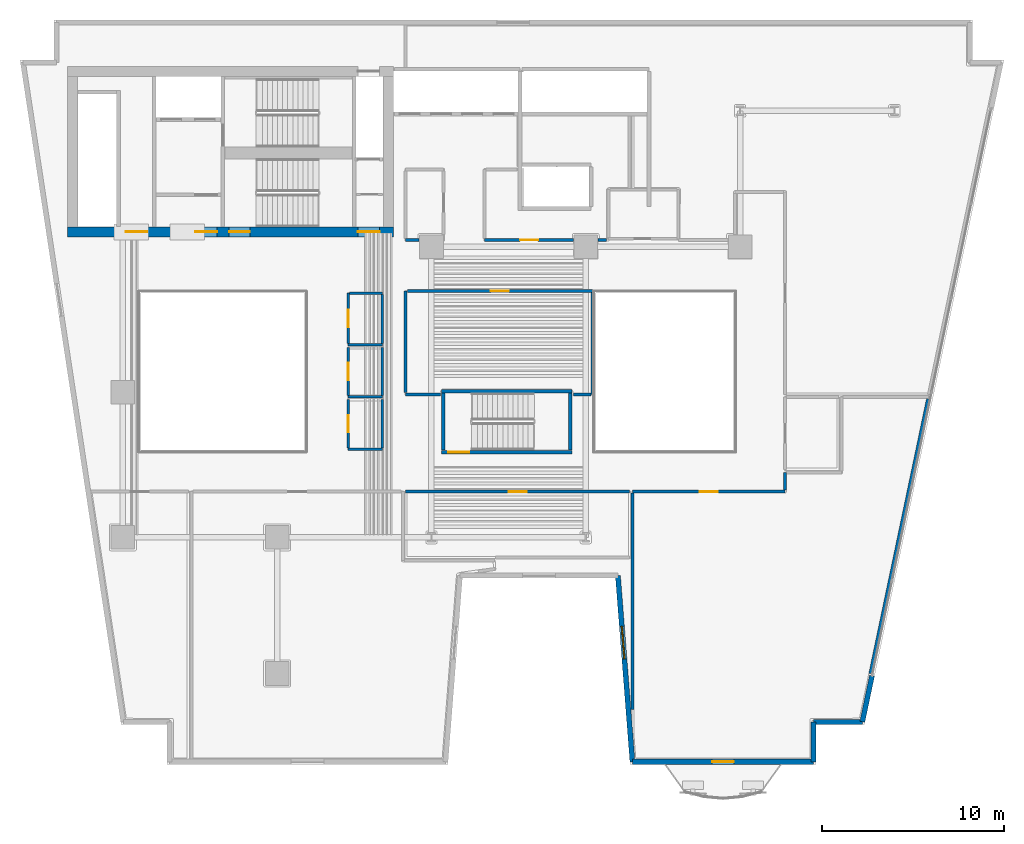
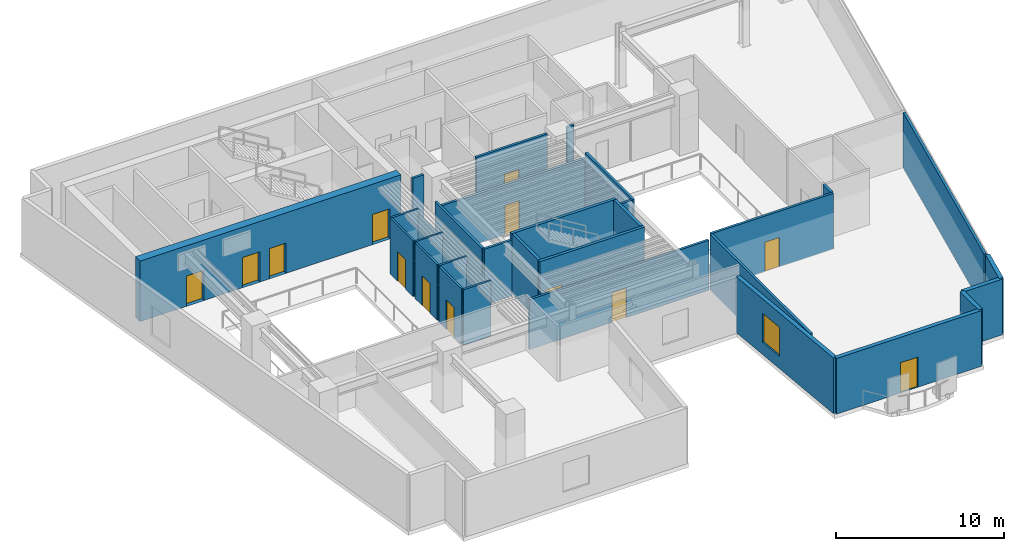
# One storey, part 4 of 11: 33 walls, 13 doors, 1 window, 14 openings.
"""IFC4 building model written with IfcOpenShell, lengths in metres."""

from ifc_helpers import new_model, si_unit, direction, frame, frame_2d, origin, place, context, subcontext, project, spatial, rectangle, extrude, material, layer, layer_set, type_object, element, fill, save


model = new_model("IFC4")

# Units and contexts
model_context = context("Model", 3, precision=1e-05, world=origin(), true_north=direction((0.0, 1.0)))
body_context = subcontext(model_context, "Body", "Model", "MODEL_VIEW")
ifc_project = project(units=[si_unit("LENGTHUNIT", "METRE"), si_unit("AREAUNIT", "SQUARE_METRE"), si_unit("VOLUMEUNIT", "CUBIC_METRE"), si_unit("PLANEANGLEUNIT", "RADIAN"), si_unit("MASSUNIT", "GRAM", prefix="KILO")], contexts=[model_context])

# Site, building, storey
site_placement = place(None, origin())
site = spatial("IfcSite", under=ifc_project, at=site_placement, CompositionType="ELEMENT")
building_placement = place(site_placement, origin())
building = spatial("IfcBuilding", under=site, at=building_placement, Name="Caeloran Harvest Quay", CompositionType="ELEMENT")
storey_placement = place(building_placement, frame((0.0, 0.0, 101.800048828125)))
storey = spatial("IfcBuildingStorey", under=building, at=storey_placement, Name="L23", CompositionType="ELEMENT", Elevation=101.800048828125)

# Walls
ifc_material_1 = material(Name="Precast concrete C50/60", Category="concrete")
ifc_layer_1 = layer(ifc_material_1, 0.280029296875, Name="Precast concrete C50/60")
ifc_layer_set_1 = layer_set([ifc_layer_1], Name="Precast concrete C50/60")
wall_type_1 = type_object("IfcWallType", Name="ENV-WALL-EW-280", PredefinedType="STANDARD", material=ifc_layer_set_1)
wall_1_placement = place(storey_placement, frame((49.77001953125, 7.384521484375, 0.0), z_axis=(0.0, 0.0, 1.0), x_axis=(-0.205551409765, -0.978646319128, 0.0)))
element("IfcWall", 1, at=wall_1_placement, inside=storey, type_object=wall_type_1, Name="L23 Exterior Facade Corner Pier Wall 9B", PredefinedType="STANDARD", context=body_context, shape_type="SweptSolid", body=[
    extrude(rectangle(XDim=2.599853515625, YDim=0.280029296875, at=frame_2d((1.2998046875, 0.0))), origin(), (0.0, 0.0, 1.0), 4.050048828125),
])
wall_2_placement = place(storey_placement, frame((49.235595703125, 4.840087890625, 0.0), z_axis=(0.0, 0.0, 1.0), x_axis=(-1.0, 0.0, 0.0)))
element("IfcWall", 2, at=wall_2_placement, inside=storey, type_object=wall_type_1, Name="L23 Exterior Precast Concrete Facade Wall 10", PredefinedType="STANDARD", context=body_context, shape_type="SweptSolid", body=[
    extrude(rectangle(XDim=2.6884765625, YDim=0.280029296875, at=frame_2d((1.34423828125, 0.0))), origin(), (0.0, 0.0, 1.0), 4.050048828125),
])
wall_3_placement = place(storey_placement, frame((46.547119140625, 4.840087890625, 0.0), z_axis=(0.0, 0.0, 1.0), x_axis=(0.0, -1.0, 0.0)))
element("IfcWall", 3, at=wall_3_placement, inside=storey, type_object=wall_type_1, Name="L23 Exterior Precast Concrete Facade Wall 11", PredefinedType="STANDARD", context=body_context, shape_type="SweptSolid", body=[
    extrude(rectangle(XDim=2.2001953125, YDim=0.280029296875, at=frame_2d((1.10009765625, 0.0))), origin(), (0.0, 0.0, 1.0), 4.050048828125),
])

# Wall, opening, door
wall_4_placement = place(storey_placement, frame((46.547119140625, 2.639892578125, 0.0), z_axis=(0.0, 0.0, 1.0), x_axis=(-1.0, 0.0, 0.0)))
wall_4 = element("IfcWall", 4, at=wall_4_placement, inside=storey, type_object=wall_type_1, Name="L23 Exterior Precast Concrete Facade Wall 12", PredefinedType="STANDARD", context=body_context, shape_type="SweptSolid", body=[
    extrude(rectangle(XDim=9.97705078125, YDim=0.280029296875, at=frame_2d((4.988525390625, 0.0))), origin(), (0.0, 0.0, 1.0), 4.050048828125),
])
opening_1_placement = place(wall_4_placement, frame((4.387939453125, 0.0, 0.0)))
opening_1 = element("IfcOpeningElement", 5, at=opening_1_placement, cuts=wall_4, Name="Opening BD-01", PredefinedType="OPENING", context=body_context, shape_type="SweptSolid", body=[
    extrude(rectangle(XDim=1.199951171875, YDim=2.199951171875, at=frame_2d((0.60009765625, 1.10009765625))), frame((0.0, 0.14990234375, 0.0), z_axis=(0.0, -1.0, 0.0), x_axis=(1.0, 0.0, 0.0)), (0.0, 0.0, 1.0), 0.300048828125),
])
ifc_material_2 = material(Name="Thermally Broken Powder-Coated Aluminium and Safety Glass", Category="aluminium")
door_type_1 = type_object("IfcDoorType", Name="EXTDOOR-BD-01", OperationType="NOTDEFINED", PredefinedType="DOOR", material=ifc_material_2)
door_1_placement = place(opening_1_placement, origin())
door_1 = element("IfcDoor", 6, at=door_1_placement, inside=storey, type_object=door_type_1, Name="L23 Planted Balcony Glazed Access Door", OperationType="SINGLE_SWING_RIGHT", OverallHeight=2.199951171875, OverallWidth=1.199951171875, PredefinedType="DOOR", context=body_context, shape_type="SweptSolid", body=[
    extrude(rectangle(XDim=1.199951171875, YDim=2.199951171875, at=frame_2d((0.60009765625, 1.10009765625))), frame((0.0, 0.02490234375, 0.0), z_axis=(0.0, -1.0, 0.0), x_axis=(1.0, 0.0, 0.0)), (0.0, 0.0, 1.0), 0.050048828125),
])
fill(opening_1, door_1)

# Wall, opening, window
wall_5_placement = place(storey_placement, frame((36.570068359375, 2.639892578125, 0.0), z_axis=(0.0, 0.0, 1.0), x_axis=(-0.077816860153, 0.996967670627, 0.0)))
wall_5 = element("IfcWall", 7, at=wall_5_placement, inside=storey, type_object=wall_type_1, Name="L23 Exterior Precast Concrete Facade Wall 13", PredefinedType="STANDARD", context=body_context, shape_type="SweptSolid", body=[
    extrude(rectangle(XDim=10.28125, YDim=0.280029296875, at=frame_2d((5.140625, 0.0))), origin(), (0.0, 0.0, 1.0), 4.050048828125),
])
opening_2_placement = place(wall_5_placement, frame((5.679931640625, 0.0, 0.89990234375)))
opening_2 = element("IfcOpeningElement", 8, at=opening_2_placement, cuts=wall_5, Name="Opening W-01", PredefinedType="OPENING", context=body_context, shape_type="SweptSolid", body=[
    extrude(rectangle(XDim=1.800048828125, YDim=2.10009765625, at=frame_2d((0.89990234375, 1.050048828125))), frame((0.0, 0.14990234375, 0.0), z_axis=(0.0, -1.0, 0.0), x_axis=(1.0, 0.0, 0.0)), (0.0, 0.0, 1.0), 0.300048828125),
])
ifc_material_3 = material(Name="Aluminium-Framed Low-E Laminated Glass", Category="aluminium")
window_type = type_object("IfcWindowType", Name="WIN-W-01", PartitioningType="SINGLE_PANEL", PredefinedType="WINDOW", material=ifc_material_3)
window_placement = place(opening_2_placement, origin())
window = element("IfcWindow", 9, at=window_placement, inside=storey, type_object=window_type, Name="L23 Facade Punched Window W-01", OverallHeight=2.10009765625, OverallWidth=1.800048828125, PartitioningType="SINGLE_PANEL", PredefinedType="WINDOW", context=body_context, shape_type="SweptSolid", body=[
    extrude(rectangle(XDim=1.800048828125, YDim=2.10009765625, at=frame_2d((0.89990234375, 1.050048828125))), frame((0.0, 0.030029296875, 0.0), z_axis=(0.0, -1.0, 0.0), x_axis=(1.0, 0.0, 0.0)), (0.0, 0.0, 1.0), 0.06005859375),
])
fill(opening_2, window)

# Wall
ifc_material_4 = material(Name="Moisture-Resistant Cement-Board Sanitary Partition", Category="gypsum")
ifc_layer_2 = layer(ifc_material_4, 0.139892578125, Name="Moisture-Resistant Cement-Board Sanitary Partition")
ifc_layer_set_2 = layer_set([ifc_layer_2], Name="Moisture-Resistant Cement-Board Sanitary Partition")
wall_type_2 = type_object("IfcWallType", Name="INT-WALL-PW-140", PredefinedType="PARTITIONING", material=ifc_layer_set_2)
wall_6_placement = place(storey_placement, frame((22.800048828125, 25.60009765625, 0.0), z_axis=(0.0, 0.0, 1.0), x_axis=(-1.0, 0.0, 0.0)))
element("IfcWall", 10, at=wall_6_placement, inside=storey, type_object=wall_type_2, Name="L23 Male Washroom WC Partition Wall", PredefinedType="PARTITIONING", context=body_context, shape_type="SweptSolid", body=[
    extrude(rectangle(XDim=1.89013671875, YDim=0.139892578125, at=frame_2d((0.945068359375, 0.0))), origin(), (0.0, 0.0, 1.0), 4.050048828125),
])

# Wall, opening, door
wall_7_placement = place(storey_placement, frame((20.909912109375, 25.675048828125, 0.0), z_axis=(0.0, 0.0, 1.0), x_axis=(0.0, 1.0, 0.0)))
wall_7 = element("IfcWall", 11, at=wall_7_placement, inside=storey, type_object=wall_type_2, Name="L23 Male Washroom WC Partition Wall", PredefinedType="PARTITIONING", context=body_context, shape_type="SweptSolid", body=[
    extrude(rectangle(XDim=2.77490234375, YDim=0.139892578125, at=frame_2d((1.387451171875, 0.0))), origin(), (0.0, 0.0, 1.0), 4.050048828125),
])
opening_3_placement = place(wall_7_placement, frame((0.91259765625, 0.0, 0.0)))
opening_3 = element("IfcOpeningElement", 12, at=opening_3_placement, cuts=wall_7, Name="Opening WC-01", PredefinedType="OPENING", context=body_context, shape_type="SweptSolid", body=[
    extrude(rectangle(XDim=0.949951171875, YDim=2.14990234375, at=frame_2d((0.47509765625, 1.074951171875))), frame((0.0, 0.080078125, 0.0), z_axis=(0.0, -1.0, 0.0), x_axis=(1.0, 0.0, 0.0)), (0.0, 0.0, 1.0), 0.159912109375),
])
ifc_material_5 = material(Name="High-Pressure Laminate Moisture-Resistant Timber", Category="wood")
door_type_2 = type_object("IfcDoorType", Name="INTDOOR-WC-01", OperationType="NOTDEFINED", PredefinedType="DOOR", material=ifc_material_5)
door_2_placement = place(opening_3_placement, origin())
door_2 = element("IfcDoor", 13, at=door_2_placement, inside=storey, type_object=door_type_2, Name="L23 Male Washroom WC Access Door", OperationType="SINGLE_SWING_LEFT", OverallHeight=2.14990234375, OverallWidth=0.949951171875, PredefinedType="DOOR", context=body_context, shape_type="SweptSolid", body=[
    extrude(rectangle(XDim=0.949951171875, YDim=2.14990234375, at=frame_2d((0.47509765625, 1.074951171875))), frame((0.0, 0.02490234375, 0.0), z_axis=(0.0, -1.0, 0.0), x_axis=(1.0, 0.0, 0.0)), (0.0, 0.0, 1.0), 0.050048828125),
])
fill(opening_3, door_2)

# Walls
wall_8_placement = place(storey_placement, frame((20.985107421875, 28.449951171875, 0.0), z_axis=(0.0, 0.0, 1.0), x_axis=(1.0, 0.0, 0.0)))
element("IfcWall", 14, at=wall_8_placement, inside=storey, type_object=wall_type_2, Name="L23 Male Washroom WC Partition Wall", PredefinedType="PARTITIONING", context=body_context, shape_type="SweptSolid", body=[
    extrude(rectangle(XDim=1.81494140625, YDim=0.139892578125, at=frame_2d((0.907470703125, 0.0))), origin(), (0.0, 0.0, 1.0), 4.050048828125),
])
wall_9_placement = place(storey_placement, frame((22.800048828125, 28.375, 0.0), z_axis=(0.0, 0.0, 1.0), x_axis=(0.0, -1.0, 0.0)))
element("IfcWall", 15, at=wall_9_placement, inside=storey, type_object=wall_type_2, Name="L23 Male Washroom WC Partition Wall", PredefinedType="PARTITIONING", context=body_context, shape_type="SweptSolid", body=[
    extrude(rectangle(XDim=2.699951171875, YDim=0.139892578125, at=frame_2d((1.35009765625, 0.0))), origin(), (0.0, 0.0, 1.0), 3.635009765625),
])
wall_10_placement = place(storey_placement, frame((22.800048828125, 22.75, 0.0), z_axis=(0.0, 0.0, 1.0), x_axis=(-1.0, 0.0, 0.0)))
element("IfcWall", 16, at=wall_10_placement, inside=storey, type_object=wall_type_2, Name="L23 Female Washroom WC Partition Wall", PredefinedType="PARTITIONING", context=body_context, shape_type="SweptSolid", body=[
    extrude(rectangle(XDim=1.89013671875, YDim=0.139892578125, at=frame_2d((0.945068359375, 0.0))), origin(), (0.0, 0.0, 1.0), 4.050048828125),
])

# Wall, opening, door
wall_11_placement = place(storey_placement, frame((20.909912109375, 22.824951171875, 0.0), z_axis=(0.0, 0.0, 1.0), x_axis=(0.0, 1.0, 0.0)))
wall_11 = element("IfcWall", 17, at=wall_11_placement, inside=storey, type_object=wall_type_2, Name="L23 Female Washroom WC Partition Wall", PredefinedType="PARTITIONING", context=body_context, shape_type="SweptSolid", body=[
    extrude(rectangle(XDim=2.625, YDim=0.139892578125, at=frame_2d((1.3125, 0.0))), origin(), (0.0, 0.0, 1.0), 4.050048828125),
])
opening_4_placement = place(wall_11_placement, frame((0.83740234375, 0.0, 0.0)))
opening_4 = element("IfcOpeningElement", 18, at=opening_4_placement, cuts=wall_11, Name="Opening WC-01", PredefinedType="OPENING", context=body_context, shape_type="SweptSolid", body=[
    extrude(rectangle(XDim=0.949951171875, YDim=2.14990234375, at=frame_2d((0.47509765625, 1.074951171875))), frame((0.0, 0.080078125, 0.0), z_axis=(0.0, -1.0, 0.0), x_axis=(1.0, 0.0, 0.0)), (0.0, 0.0, 1.0), 0.159912109375),
])
door_3_placement = place(opening_4_placement, origin())
door_3 = element("IfcDoor", 19, at=door_3_placement, inside=storey, type_object=door_type_2, Name="L23 Female Washroom WC Access Door", OperationType="SINGLE_SWING_RIGHT", OverallHeight=2.14990234375, OverallWidth=0.949951171875, PredefinedType="DOOR", context=body_context, shape_type="SweptSolid", body=[
    extrude(rectangle(XDim=0.949951171875, YDim=2.14990234375, at=frame_2d((0.47509765625, 1.074951171875))), frame((0.0, 0.02490234375, 0.0), z_axis=(0.0, -1.0, 0.0), x_axis=(1.0, 0.0, 0.0)), (0.0, 0.0, 1.0), 0.050048828125),
])
fill(opening_4, door_3)

# Walls
wall_12_placement = place(storey_placement, frame((22.800048828125, 25.449951171875, 0.0), z_axis=(0.0, 0.0, 1.0), x_axis=(0.0, -1.0, 0.0)))
element("IfcWall", 20, at=wall_12_placement, inside=storey, type_object=wall_type_2, Name="L23 Female Washroom WC Partition Wall", PredefinedType="PARTITIONING", context=body_context, shape_type="SweptSolid", body=[
    extrude(rectangle(XDim=2.625, YDim=0.139892578125, at=frame_2d((1.3125, 0.0))), origin(), (0.0, 0.0, 1.0), 3.635009765625),
])
wall_13_placement = place(storey_placement, frame((22.800048828125, 19.85009765625, 0.0), z_axis=(0.0, 0.0, 1.0), x_axis=(-1.0, 0.0, 0.0)))
element("IfcWall", 21, at=wall_13_placement, inside=storey, type_object=wall_type_2, Name="L23 Accessible Unisex Washroom WC Partition Wall", PredefinedType="PARTITIONING", context=body_context, shape_type="SweptSolid", body=[
    extrude(rectangle(XDim=1.89013671875, YDim=0.139892578125, at=frame_2d((0.945068359375, 0.0))), origin(), (0.0, 0.0, 1.0), 4.050048828125),
])

# Wall, opening, door
wall_14_placement = place(storey_placement, frame((20.909912109375, 19.925048828125, 0.0), z_axis=(0.0, 0.0, 1.0), x_axis=(0.0, 1.0, 0.0)))
wall_14 = element("IfcWall", 22, at=wall_14_placement, inside=storey, type_object=wall_type_2, Name="L23 Accessible Unisex Washroom WC Partition Wall", PredefinedType="PARTITIONING", context=body_context, shape_type="SweptSolid", body=[
    extrude(rectangle(XDim=2.675048828125, YDim=0.139892578125, at=frame_2d((1.33740234375, 0.0))), origin(), (0.0, 0.0, 1.0), 4.050048828125),
])
opening_5_placement = place(wall_14_placement, frame((0.862548828125, 0.0, 0.0)))
opening_5 = element("IfcOpeningElement", 23, at=opening_5_placement, cuts=wall_14, Name="Opening WC-01", PredefinedType="OPENING", context=body_context, shape_type="SweptSolid", body=[
    extrude(rectangle(XDim=0.949951171875, YDim=2.14990234375, at=frame_2d((0.47509765625, 1.074951171875))), frame((0.0, 0.080078125, 0.0), z_axis=(0.0, -1.0, 0.0), x_axis=(1.0, 0.0, 0.0)), (0.0, 0.0, 1.0), 0.159912109375),
])
door_4_placement = place(opening_5_placement, origin())
door_4 = element("IfcDoor", 24, at=door_4_placement, inside=storey, type_object=door_type_2, Name="L23 Accessible Unisex Washroom WC Access Door", OperationType="SINGLE_SWING_LEFT", OverallHeight=2.14990234375, OverallWidth=0.949951171875, PredefinedType="DOOR", context=body_context, shape_type="SweptSolid", body=[
    extrude(rectangle(XDim=0.949951171875, YDim=2.14990234375, at=frame_2d((0.47509765625, 1.074951171875))), frame((0.0, 0.02490234375, 0.0), z_axis=(0.0, -1.0, 0.0), x_axis=(1.0, 0.0, 0.0)), (0.0, 0.0, 1.0), 0.050048828125),
])
fill(opening_5, door_4)

# Wall
wall_15_placement = place(storey_placement, frame((22.800048828125, 22.60009765625, 0.0), z_axis=(0.0, 0.0, 1.0), x_axis=(0.0, -1.0, 0.0)))
element("IfcWall", 25, at=wall_15_placement, inside=storey, type_object=wall_type_2, Name="L23 Accessible Unisex Washroom WC Partition Wall", PredefinedType="PARTITIONING", context=body_context, shape_type="SweptSolid", body=[
    extrude(rectangle(XDim=2.675048828125, YDim=0.139892578125, at=frame_2d((1.33740234375, 0.0))), origin(), (0.0, 0.0, 1.0), 3.635009765625),
])

# Wall, opening, door
ifc_material_6 = material(Name="Autoclaved Aerated Concrete Blockwork", Category="masonry")
ifc_layer_3 = layer(ifc_material_6, 0.1650390625, Name="Autoclaved Aerated Concrete Blockwork")
ifc_layer_set_3 = layer_set([ifc_layer_3], Name="Autoclaved Aerated Concrete Blockwork")
wall_type_3 = type_object("IfcWallType", Name="INT-WALL-PW-165", PredefinedType="PARTITIONING", material=ifc_layer_set_3)
wall_16_placement = place(storey_placement, frame((36.580078125, 17.52001953125, 0.0), z_axis=(0.0, 0.0, 1.0), x_axis=(1.0, 0.0, 0.0)))
wall_16 = element("IfcWall", 26, at=wall_16_placement, inside=storey, type_object=wall_type_3, Name="Biophilic Architecture Atelier Partition Wall", PredefinedType="PARTITIONING", context=body_context, shape_type="SweptSolid", body=[
    extrude(rectangle(XDim=8.39990234375, YDim=0.1650390625, at=frame_2d((4.199951171875, 0.0))), origin(), (0.0, 0.0, 1.0), 4.050048828125),
])
opening_6_placement = place(wall_16_placement, frame((3.699951171875, 0.0, 0.0)))
opening_6 = element("IfcOpeningElement", 27, at=opening_6_placement, cuts=wall_16, Name="Opening ID-01", PredefinedType="OPENING", context=body_context, shape_type="SweptSolid", body=[
    extrude(rectangle(XDim=1.0, YDim=2.14990234375, at=frame_2d((0.5, 1.074951171875))), frame((0.0, 0.092529296875, 0.0), z_axis=(0.0, -1.0, 0.0), x_axis=(1.0, 0.0, 0.0)), (0.0, 0.0, 1.0), 0.18505859375),
])
ifc_material_7 = material(Name="FSC Solid-Core Ash Timber and Acoustic Seal", Category="wood")
door_type_3 = type_object("IfcDoorType", Name="INTDOOR-ID-01", OperationType="NOTDEFINED", PredefinedType="DOOR", material=ifc_material_7)
door_5_placement = place(opening_6_placement, origin())
door_5 = element("IfcDoor", 28, at=door_5_placement, inside=storey, type_object=door_type_3, Name="Biophilic Architecture Atelier Access Door", OperationType="SINGLE_SWING_RIGHT", OverallHeight=2.14990234375, OverallWidth=1.0, PredefinedType="DOOR", context=body_context, shape_type="SweptSolid", body=[
    extrude(rectangle(XDim=1.0, YDim=2.14990234375, at=frame_2d((0.5, 1.074951171875))), frame((0.0, 0.02490234375, 0.0), z_axis=(0.0, -1.0, 0.0), x_axis=(1.0, 0.0, 0.0)), (0.0, 0.0, 1.0), 0.050048828125),
])
fill(opening_6, door_5)

# Walls
wall_17_placement = place(storey_placement, frame((44.97998046875, 17.607421875, 0.0), z_axis=(0.0, 0.0, 1.0), x_axis=(0.0, 1.0, 0.0)))
element("IfcWall", 29, at=wall_17_placement, inside=storey, type_object=wall_type_3, Name="Biophilic Architecture Atelier Partition Wall", PredefinedType="PARTITIONING", context=body_context, shape_type="SweptSolid", body=[
    extrude(rectangle(XDim=0.962646484375, YDim=0.1650390625, at=frame_2d((0.4814453125, 0.0))), origin(), (0.0, 0.0, 1.0), 4.050048828125),
])
wall_18_placement = place(storey_placement, frame((52.8505859375, 22.632568359375, 0.0), z_axis=(0.0, 0.0, 1.0), x_axis=(-0.205578333573, -0.97864066376, 0.0)))
element("IfcWall", 30, at=wall_18_placement, inside=storey, type_object=wall_type_3, Name="Biophilic Architecture Atelier Partition Wall", PredefinedType="PARTITIONING", context=body_context, shape_type="SweptSolid", body=[
    extrude(rectangle(XDim=15.461181640625, YDim=0.1650390625, at=frame_2d((7.73046875, 0.0))), origin(), (0.0, 0.0, 1.0), 4.050048828125),
])
wall_19_placement = place(storey_placement, frame((36.580078125, 5.525390625, 0.0), z_axis=(0.0, 0.0, 1.0), x_axis=(0.0, 1.0, 0.0)))
element("IfcWall", 31, at=wall_19_placement, inside=storey, type_object=wall_type_3, Name="Biophilic Architecture Atelier Partition Wall", PredefinedType="PARTITIONING", context=body_context, shape_type="SweptSolid", body=[
    extrude(rectangle(XDim=11.9072265625, YDim=0.1650390625, at=frame_2d((5.95361328125, 0.0))), origin(), (0.0, 0.0, 1.0), 4.050048828125),
])

# Wall, opening, door
wall_20_placement = place(storey_placement, frame((24.080078125, 17.52001953125, 0.0), z_axis=(0.0, 0.0, 1.0), x_axis=(1.0, 0.0, 0.0)))
wall_20 = element("IfcWall", 32, at=wall_20_placement, inside=storey, type_object=wall_type_3, Name="Client Briefing Conference Room Partition Wall", PredefinedType="PARTITIONING", context=body_context, shape_type="SweptSolid", body=[
    extrude(rectangle(XDim=12.33984375, YDim=0.1650390625, at=frame_2d((6.169921875, 0.0))), origin(), (0.0, 0.0, 1.0), 3.635009765625),
])
opening_7_placement = place(wall_20_placement, frame((5.669921875, 0.0, 0.0)))
opening_7 = element("IfcOpeningElement", 33, at=opening_7_placement, cuts=wall_20, Name="Opening ID-01", PredefinedType="OPENING", context=body_context, shape_type="SweptSolid", body=[
    extrude(rectangle(XDim=1.0, YDim=2.14990234375, at=frame_2d((0.5, 1.074951171875))), frame((0.0, 0.092529296875, 0.0), z_axis=(0.0, -1.0, 0.0), x_axis=(1.0, 0.0, 0.0)), (0.0, 0.0, 1.0), 0.18505859375),
])
door_6_placement = place(opening_7_placement, origin())
door_6 = element("IfcDoor", 34, at=door_6_placement, inside=storey, type_object=door_type_3, Name="Client Briefing Conference Room Access Door", OperationType="SINGLE_SWING_LEFT", OverallHeight=2.14990234375, OverallWidth=1.0, PredefinedType="DOOR", context=body_context, shape_type="SweptSolid", body=[
    extrude(rectangle(XDim=1.0, YDim=2.14990234375, at=frame_2d((0.5, 1.074951171875))), frame((0.0, 0.02490234375, 0.0), z_axis=(0.0, -1.0, 0.0), x_axis=(1.0, 0.0, 0.0)), (0.0, 0.0, 1.0), 0.050048828125),
])
fill(opening_7, door_6)

# Walls
wall_21_placement = place(storey_placement, frame((25.98681640625, 22.8798828125, 0.0), z_axis=(0.0, 0.0, 1.0), x_axis=(-1.0, 0.0, 0.0)))
element("IfcWall", 35, at=wall_21_placement, inside=storey, type_object=wall_type_3, Name="Botanical Sketch Studio Partition Wall", PredefinedType="PARTITIONING", context=body_context, shape_type="SweptSolid", body=[
    extrude(rectangle(XDim=1.90673828125, YDim=0.1650390625, at=frame_2d((0.953369140625, 0.0))), origin(), (0.0, 0.0, 1.0), 4.050048828125),
])
wall_22_placement = place(storey_placement, frame((24.080078125, 22.967529296875, 0.0), z_axis=(0.0, 0.0, 1.0), x_axis=(0.0, 1.0, 0.0)))
element("IfcWall", 36, at=wall_22_placement, inside=storey, type_object=wall_type_3, Name="Botanical Sketch Studio Partition Wall", PredefinedType="PARTITIONING", context=body_context, shape_type="SweptSolid", body=[
    extrude(rectangle(XDim=5.6025390625, YDim=0.1650390625, at=frame_2d((2.80126953125, 0.0))), origin(), (0.0, 0.0, 1.0), 4.050048828125),
])

# Wall, opening, door
wall_23_placement = place(storey_placement, frame((24.16748046875, 28.570068359375, 0.0), z_axis=(0.0, 0.0, 1.0), x_axis=(1.0, 0.0, 0.0)))
wall_23 = element("IfcWall", 37, at=wall_23_placement, inside=storey, type_object=wall_type_3, Name="Botanical Sketch Studio Partition Wall", PredefinedType="PARTITIONING", context=body_context, shape_type="SweptSolid", body=[
    extrude(rectangle(XDim=10.20263671875, YDim=0.1650390625, at=frame_2d((5.101318359375, 0.0))), origin(), (0.0, 0.0, 1.0), 3.635009765625),
])
opening_8_placement = place(wall_23_placement, frame((4.601318359375, 0.0, 0.0)))
opening_8 = element("IfcOpeningElement", 38, at=opening_8_placement, cuts=wall_23, Name="Opening ID-01", PredefinedType="OPENING", context=body_context, shape_type="SweptSolid", body=[
    extrude(rectangle(XDim=1.0, YDim=2.14990234375, at=frame_2d((0.5, 1.074951171875))), frame((0.0, 0.092529296875, 0.0), z_axis=(0.0, -1.0, 0.0), x_axis=(1.0, 0.0, 0.0)), (0.0, 0.0, 1.0), 0.18505859375),
])
door_7_placement = place(opening_8_placement, origin())
door_7 = element("IfcDoor", 39, at=door_7_placement, inside=storey, type_object=door_type_3, Name="Botanical Sketch Studio Access Door", OperationType="SINGLE_SWING_LEFT", OverallHeight=2.14990234375, OverallWidth=1.0, PredefinedType="DOOR", context=body_context, shape_type="SweptSolid", body=[
    extrude(rectangle(XDim=1.0, YDim=2.14990234375, at=frame_2d((0.5, 1.074951171875))), frame((0.0, 0.02490234375, 0.0), z_axis=(0.0, -1.0, 0.0), x_axis=(1.0, 0.0, 0.0)), (0.0, 0.0, 1.0), 0.050048828125),
])
fill(opening_8, door_7)

# Walls
wall_24_placement = place(storey_placement, frame((34.3701171875, 28.482421875, 0.0), z_axis=(0.0, 0.0, 1.0), x_axis=(0.0, -1.0, 0.0)))
element("IfcWall", 40, at=wall_24_placement, inside=storey, type_object=wall_type_3, Name="Botanical Sketch Studio Partition Wall", PredefinedType="PARTITIONING", context=body_context, shape_type="SweptSolid", body=[
    extrude(rectangle(XDim=5.6025390625, YDim=0.1650390625, at=frame_2d((2.80126953125, 0.0))), origin(), (0.0, 0.0, 1.0), 4.050048828125),
])
wall_25_placement = place(storey_placement, frame((34.282470703125, 22.8798828125, 0.0), z_axis=(0.0, 0.0, 1.0), x_axis=(-1.0, 0.0, 0.0)))
element("IfcWall", 41, at=wall_25_placement, inside=storey, type_object=wall_type_3, Name="Botanical Sketch Studio Partition Wall", PredefinedType="PARTITIONING", context=body_context, shape_type="SweptSolid", body=[
    extrude(rectangle(XDim=0.96923828125, YDim=0.1650390625, at=frame_2d((0.484619140625, 0.0))), origin(), (0.0, 0.0, 1.0), 4.050048828125),
])
wall_26_placement = place(storey_placement, frame((24.824951171875, 31.3798828125, 0.0), z_axis=(0.0, 0.0, 1.0), x_axis=(-1.0, 0.0, 0.0)))
element("IfcWall", 42, at=wall_26_placement, inside=storey, type_object=wall_type_3, Name="Partner Boardroom Partition Wall", PredefinedType="PARTITIONING", context=body_context, shape_type="SweptSolid", body=[
    extrude(rectangle(XDim=0.744873046875, YDim=0.1650390625, at=frame_2d((0.37255859375, 0.0))), origin(), (0.0, 0.0, 1.0), 4.050048828125),
])
wall_27_placement = place(storey_placement, frame((35.155517578125, 31.3798828125, 0.0), z_axis=(0.0, 0.0, 1.0), x_axis=(-1.0, 0.0, 0.0)))
element("IfcWall", 43, at=wall_27_placement, inside=storey, type_object=wall_type_3, Name="Executive Agronomy Design Studio 8 Partition Wall", PredefinedType="PARTITIONING", context=body_context, shape_type="SweptSolid", body=[
    extrude(rectangle(XDim=0.48046875, YDim=0.1650390625, at=frame_2d((0.240234375, 0.0))), origin(), (0.0, 0.0, 1.0), 4.050048828125),
])

# Wall, opening, door
wall_28_placement = place(storey_placement, frame((33.324951171875, 31.3798828125, 0.0), z_axis=(0.0, 0.0, 1.0), x_axis=(-1.0, 0.0, 0.0)))
wall_28 = element("IfcWall", 44, at=wall_28_placement, inside=storey, type_object=wall_type_3, Name="Executive Agronomy Design Studio 8 Partition Wall", PredefinedType="PARTITIONING", context=body_context, shape_type="SweptSolid", body=[
    extrude(rectangle(XDim=4.89501953125, YDim=0.1650390625, at=frame_2d((2.447509765625, 0.0))), origin(), (0.0, 0.0, 1.0), 4.050048828125),
])
opening_9_placement = place(wall_28_placement, frame((1.947509765625, 0.0, 0.0)))
opening_9 = element("IfcOpeningElement", 45, at=opening_9_placement, cuts=wall_28, Name="Opening ID-01", PredefinedType="OPENING", context=body_context, shape_type="SweptSolid", body=[
    extrude(rectangle(XDim=1.0, YDim=2.14990234375, at=frame_2d((0.5, 1.074951171875))), frame((0.0, 0.092529296875, 0.0), z_axis=(0.0, -1.0, 0.0), x_axis=(1.0, 0.0, 0.0)), (0.0, 0.0, 1.0), 0.18505859375),
])
door_8_placement = place(opening_9_placement, origin())
door_8 = element("IfcDoor", 46, at=door_8_placement, inside=storey, type_object=door_type_3, Name="Executive Agronomy Design Studio 8 Access Door", OperationType="SINGLE_SWING_LEFT", OverallHeight=2.14990234375, OverallWidth=1.0, PredefinedType="DOOR", context=body_context, shape_type="SweptSolid", body=[
    extrude(rectangle(XDim=1.0, YDim=2.14990234375, at=frame_2d((0.5, 1.074951171875))), frame((0.0, 0.02490234375, 0.0), z_axis=(0.0, -1.0, 0.0), x_axis=(1.0, 0.0, 0.0)), (0.0, 0.0, 1.0), 0.050048828125),
])
fill(opening_9, door_8)

# Wall, openings, doors
ifc_material_8 = material(Name="Concrete C80/95", Category="concrete")
ifc_layer_4 = layer(ifc_material_8, 0.550048828125, Name="Concrete C80/95")
ifc_layer_set_4 = layer_set([ifc_layer_4], Name="Concrete C80/95")
wall_type_4 = type_object("IfcWallType", Name="STR-WALL-CW-550", PredefinedType="SHEAR", material=ifc_layer_set_4)
wall_29_placement = place(storey_placement, frame((5.449951171875, 31.824951171875, 0.0), z_axis=(0.0, 0.0, 1.0), x_axis=(1.0, 0.0, 0.0)))
wall_29 = element("IfcWall", 47, at=wall_29_placement, inside=storey, type_object=wall_type_4, Name="L23 Rear Core Shear Wall S", PredefinedType="SHEAR", context=body_context, shape_type="SweptSolid", body=[
    extrude(rectangle(XDim=17.949951171875, YDim=0.550048828125, at=frame_2d((8.97509765625, 0.0))), origin(), (0.0, 0.0, 1.0), 4.39990234375),
])
opening_10_placement = place(wall_29_placement, frame((3.199951171875, 0.0, 0.0)))
opening_10 = element("IfcOpeningElement", 48, at=opening_10_placement, cuts=wall_29, Name="Opening FD-01", PredefinedType="OPENING", context=body_context, shape_type="SweptSolid", body=[
    extrude(rectangle(XDim=1.199951171875, YDim=2.199951171875, at=frame_2d((0.60009765625, 1.10009765625))), frame((0.0, 0.28515625, 0.0), z_axis=(0.0, -1.0, 0.0), x_axis=(1.0, 0.0, 0.0)), (0.0, 0.0, 1.0), 0.570068359375),
])
opening_11_placement = place(wall_29_placement, frame((7.050048828125, 0.0, 0.0)))
opening_11 = element("IfcOpeningElement", 49, at=opening_11_placement, cuts=wall_29, Name="Opening FD-01", PredefinedType="OPENING", context=body_context, shape_type="SweptSolid", body=[
    extrude(rectangle(XDim=1.199951171875, YDim=2.199951171875, at=frame_2d((0.60009765625, 1.10009765625))), frame((0.0, 0.28515625, 0.0), z_axis=(0.0, -1.0, 0.0), x_axis=(1.0, 0.0, 0.0)), (0.0, 0.0, 1.0), 0.570068359375),
])
opening_12_placement = place(wall_29_placement, frame((8.89990234375, 0.0, 0.0)))
opening_12 = element("IfcOpeningElement", 50, at=opening_12_placement, cuts=wall_29, Name="Opening SD-01", PredefinedType="OPENING", context=body_context, shape_type="SweptSolid", body=[
    extrude(rectangle(XDim=1.14990234375, YDim=2.199951171875, at=frame_2d((0.574951171875, 1.10009765625))), frame((0.0, 0.28515625, 0.0), z_axis=(0.0, -1.0, 0.0), x_axis=(1.0, 0.0, 0.0)), (0.0, 0.0, 1.0), 0.570068359375),
])
opening_13_placement = place(wall_29_placement, frame((16.0, 0.0, 0.0)))
opening_13 = element("IfcOpeningElement", 51, at=opening_13_placement, cuts=wall_29, Name="Opening FD-01", PredefinedType="OPENING", context=body_context, shape_type="SweptSolid", body=[
    extrude(rectangle(XDim=1.199951171875, YDim=2.199951171875, at=frame_2d((0.60009765625, 1.10009765625))), frame((0.0, 0.28515625, 0.0), z_axis=(0.0, -1.0, 0.0), x_axis=(1.0, 0.0, 0.0)), (0.0, 0.0, 1.0), 0.570068359375),
])
ifc_material_9 = material(Name="Steel", Category="steel")
door_type_4 = type_object("IfcDoorType", Name="INTDOOR-FD-01", OperationType="NOTDEFINED", PredefinedType="DOOR", material=ifc_material_9)
door_9_placement = place(opening_10_placement, origin())
door_9 = element("IfcDoor", 52, at=door_9_placement, inside=storey, type_object=door_type_4, Name="L23 High-Rise Lift Lobby Fire Door", OperationType="SINGLE_SWING_RIGHT", OverallHeight=2.199951171875, OverallWidth=1.199951171875, PredefinedType="DOOR", context=body_context, shape_type="SweptSolid", body=[
    extrude(rectangle(XDim=1.199951171875, YDim=2.199951171875, at=frame_2d((0.60009765625, 1.10009765625))), frame((0.0, 0.02490234375, 0.0), z_axis=(0.0, -1.0, 0.0), x_axis=(1.0, 0.0, 0.0)), (0.0, 0.0, 1.0), 0.050048828125),
])
fill(opening_10, door_9)
door_10_placement = place(opening_11_placement, origin())
door_10 = element("IfcDoor", 53, at=door_10_placement, inside=storey, type_object=door_type_4, Name="L23 Firefighting Lobby Vestibule Fire Door", OperationType="SINGLE_SWING_LEFT", OverallHeight=2.199951171875, OverallWidth=1.199951171875, PredefinedType="DOOR", context=body_context, shape_type="SweptSolid", body=[
    extrude(rectangle(XDim=1.199951171875, YDim=2.199951171875, at=frame_2d((0.60009765625, 1.10009765625))), frame((0.0, 0.02490234375, 0.0), z_axis=(0.0, -1.0, 0.0), x_axis=(1.0, 0.0, 0.0)), (0.0, 0.0, 1.0), 0.050048828125),
])
fill(opening_11, door_10)
door_11_placement = place(opening_13_placement, origin())
door_11 = element("IfcDoor", 54, at=door_11_placement, inside=storey, type_object=door_type_4, Name="L23 Service Lift Lobby Fire Door", OperationType="SINGLE_SWING_LEFT", OverallHeight=2.199951171875, OverallWidth=1.199951171875, PredefinedType="DOOR", context=body_context, shape_type="SweptSolid", body=[
    extrude(rectangle(XDim=1.199951171875, YDim=2.199951171875, at=frame_2d((0.60009765625, 1.10009765625))), frame((0.0, 0.02490234375, 0.0), z_axis=(0.0, -1.0, 0.0), x_axis=(1.0, 0.0, 0.0)), (0.0, 0.0, 1.0), 0.050048828125),
])
fill(opening_13, door_11)
door_type_5 = type_object("IfcDoorType", Name="INTDOOR-SD-01", OperationType="NOTDEFINED", PredefinedType="DOOR", material=ifc_material_9)
door_12_placement = place(opening_12_placement, origin())
door_12 = element("IfcDoor", 55, at=door_12_placement, inside=storey, type_object=door_type_5, Name="L23 Protected Stair ST-C2 Exit Door", OperationType="SINGLE_SWING_RIGHT", OverallHeight=2.199951171875, OverallWidth=1.14990234375, PredefinedType="DOOR", context=body_context, shape_type="SweptSolid", body=[
    extrude(rectangle(XDim=1.14990234375, YDim=2.199951171875, at=frame_2d((0.574951171875, 1.10009765625))), frame((0.0, 0.02490234375, 0.0), z_axis=(0.0, -1.0, 0.0), x_axis=(1.0, 0.0, 0.0)), (0.0, 0.0, 1.0), 0.050048828125),
])
fill(opening_12, door_12)

# Wall, opening, door
ifc_material_10 = material(Name="Concrete C60/75", Category="concrete")
ifc_layer_5 = layer(ifc_material_10, 0.199951171875, Name="Concrete C60/75")
ifc_layer_set_5 = layer_set([ifc_layer_5], Name="Concrete C60/75")
wall_type_5 = type_object("IfcWallType", Name="STR-WALL-SW-200", PredefinedType="SHEAR", material=ifc_layer_set_5)
wall_30_placement = place(storey_placement, frame((26.050048828125, 19.699951171875, 0.0), z_axis=(0.0, 0.0, 1.0), x_axis=(1.0, 0.0, 0.0)))
wall_30 = element("IfcWall", 56, at=wall_30_placement, inside=storey, type_object=wall_type_5, Name="L23 Stair ST-W1 S RC Shaft Shear Wall", PredefinedType="SHEAR", context=body_context, shape_type="SweptSolid", body=[
    extrude(rectangle(XDim=7.199951171875, YDim=0.199951171875, at=frame_2d((3.60009765625, 0.0))), origin(), (0.0, 0.0, 1.0), 4.39990234375),
])
opening_14_placement = place(wall_30_placement, frame((0.3798828125, 0.0, 0.0)))
opening_14 = element("IfcOpeningElement", 57, at=opening_14_placement, cuts=wall_30, Name="Opening SD-01", PredefinedType="OPENING", context=body_context, shape_type="SweptSolid", body=[
    extrude(rectangle(XDim=1.14990234375, YDim=2.199951171875, at=frame_2d((0.574951171875, 1.10009765625))), frame((0.0, 0.10986328125, 0.0), z_axis=(0.0, -1.0, 0.0), x_axis=(1.0, 0.0, 0.0)), (0.0, 0.0, 1.0), 0.219970703125),
])
door_13_placement = place(opening_14_placement, origin())
door_13 = element("IfcDoor", 58, at=door_13_placement, inside=storey, type_object=door_type_5, Name="L23 Protected Exit Stair ST-W1 Fire Door", OperationType="SINGLE_SWING_LEFT", OverallHeight=2.199951171875, OverallWidth=1.14990234375, PredefinedType="DOOR", context=body_context, shape_type="SweptSolid", body=[
    extrude(rectangle(XDim=1.14990234375, YDim=2.199951171875, at=frame_2d((0.574951171875, 1.10009765625))), frame((0.0, 0.02490234375, 0.0), z_axis=(0.0, -1.0, 0.0), x_axis=(1.0, 0.0, 0.0)), (0.0, 0.0, 1.0), 0.050048828125),
])
fill(opening_14, door_13)

# Walls
wall_31_placement = place(storey_placement, frame((26.050048828125, 23.050048828125, 0.0), z_axis=(0.0, 0.0, 1.0), x_axis=(1.0, 0.0, 0.0)))
element("IfcWall", 59, at=wall_31_placement, inside=storey, type_object=wall_type_5, Name="L23 Stair ST-W1 N RC Shaft Shear Wall", PredefinedType="SHEAR", context=body_context, shape_type="SweptSolid", body=[
    extrude(rectangle(XDim=7.199951171875, YDim=0.199951171875, at=frame_2d((3.60009765625, 0.0))), origin(), (0.0, 0.0, 1.0), 4.39990234375),
])
for number, where, z_axis, x_axis, name in (
    (60, (26.14990234375, 19.81005859375, 0.0), (0.0, 0.0, 1.0), (0.0, 1.0, 0.0), "L23 Stair ST-W1 W RC Shaft Shear Wall"),
    (61, (33.14990234375, 19.81005859375, 0.0), (0.0, 0.0, 1.0), (0.0, 1.0, 0.0), "L23 Stair ST-W1 E RC Shaft Shear Wall"),
):
    element("IfcWall", number, at=place(storey_placement, frame(where, z_axis=z_axis, x_axis=x_axis)), inside=storey, type_object=wall_type_5, Name=name, PredefinedType="SHEAR", context=body_context, shape_type="SweptSolid", body=[
        extrude(rectangle(XDim=3.1298828125, YDim=0.199951171875, at=frame_2d((1.56494140625, 0.0))), origin(), (0.0, 0.0, 1.0), 4.39990234375),
    ])

save(model, "model.ifc")
